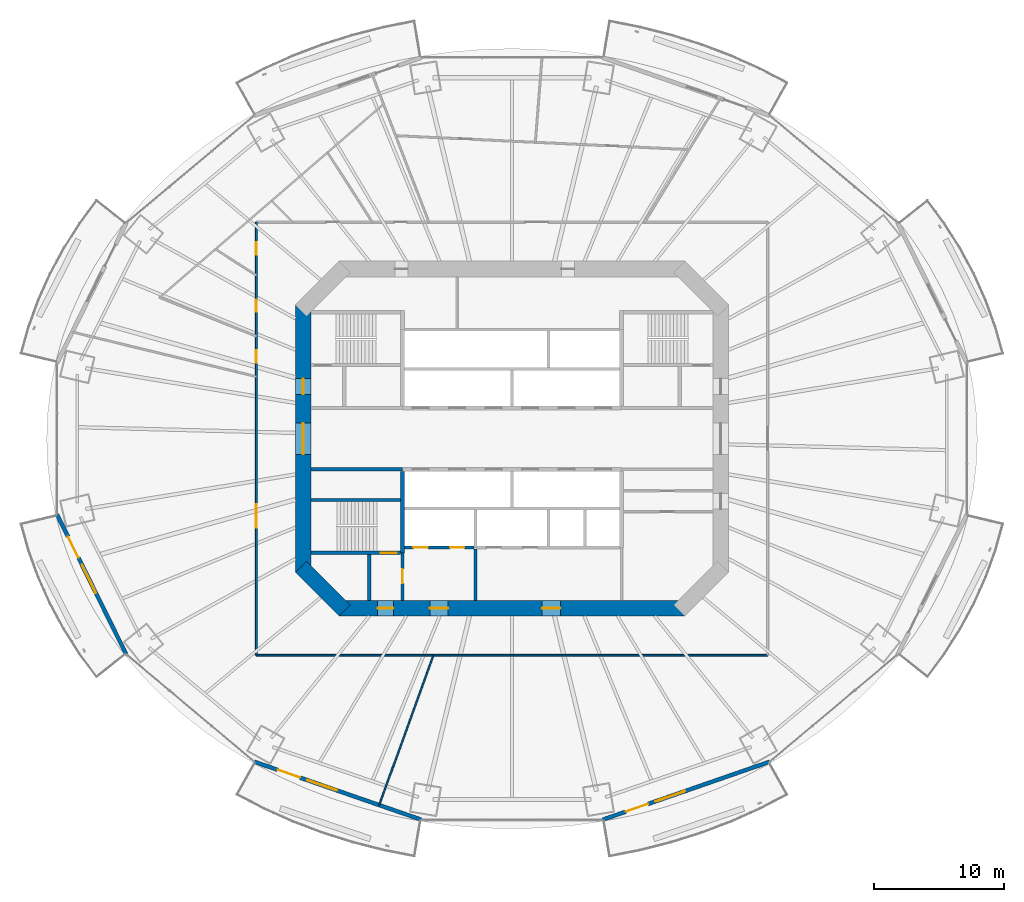
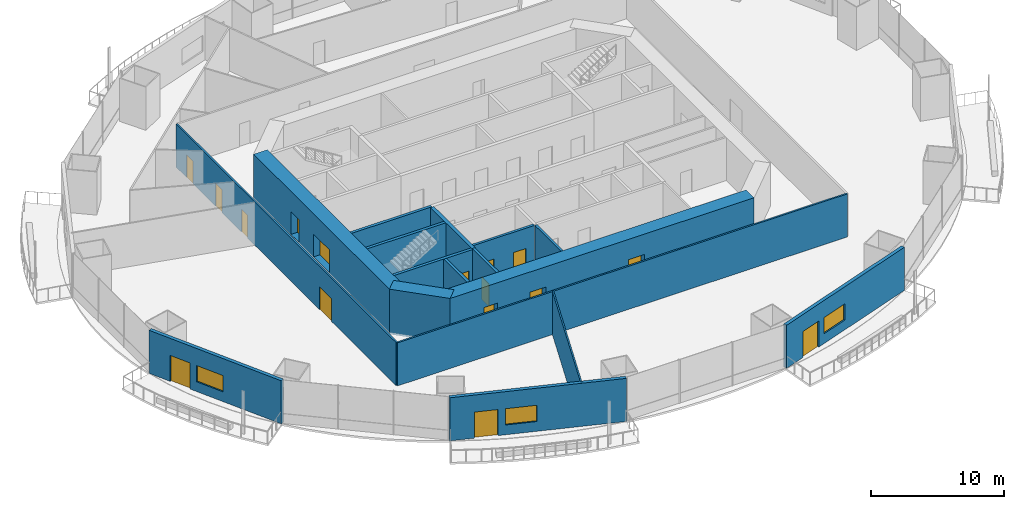
# One storey, part 13 of 22: 17 walls, 16 doors, 3 windows, 19 openings.
"""IFC4 building model written with IfcOpenShell, lengths in metres."""

from ifc_helpers import new_model, si_unit, direction, frame, frame_2d, origin, place, context, subcontext, project, spatial, rectangle, extrude, material, layer, layer_set, type_object, element, fill, save


model = new_model("IFC4")

# Units and contexts
model_context = context("Model", 3, precision=1e-05, world=origin(), true_north=direction((0.0, 1.0)))
body_context = subcontext(model_context, "Body", "Model", "MODEL_VIEW")
ifc_project = project(units=[si_unit("LENGTHUNIT", "METRE"), si_unit("AREAUNIT", "SQUARE_METRE"), si_unit("VOLUMEUNIT", "CUBIC_METRE"), si_unit("PLANEANGLEUNIT", "RADIAN"), si_unit("MASSUNIT", "GRAM", prefix="KILO")], contexts=[model_context])

# Site, building, storey
site_placement = place(None, origin())
site = spatial("IfcSite", under=ifc_project, at=site_placement, CompositionType="ELEMENT")
building_placement = place(site_placement, origin())
building = spatial("IfcBuilding", under=site, at=building_placement, Name="Marenthal Gate Tower", CompositionType="ELEMENT")
storey_placement = place(building_placement, frame((0.0, 0.0, 78.64990234375)))
storey = spatial("IfcBuildingStorey", under=building, at=storey_placement, Name="L15", CompositionType="ELEMENT", Elevation=78.64990234375)

# Wall, openings, doors
ifc_material_1 = material(Name="Concrete 60 MPa", Category="concrete")
ifc_layer_1 = layer(ifc_material_1, 1.199951171875)
ifc_layer_set_1 = layer_set([ifc_layer_1], Name="Core shear wall 1200")
wall_type_1 = type_object("IfcWallType", Name="Core shear wall 1200", PredefinedType="SHEAR", material=ifc_layer_set_1)
wall_1_placement = place(storey_placement, frame((-16.0, 10.24853515625, -0.179931640625), z_axis=(0.0, 0.0, 1.0), x_axis=(0.0, -1.0, 0.0)))
wall_1 = element("IfcWall", 1, at=wall_1_placement, inside=storey, type_object=wall_type_1, Name="Core wall 06", PredefinedType="SHEAR", context=body_context, shape_type="SweptSolid", body=[
    extrude(rectangle(XDim=20.4970703125, YDim=1.199951171875, at=frame_2d((10.24853515625, 0.0))), origin(), (0.0, 0.0, 1.0), 4.150146484375),
])
opening_1_placement = place(wall_1_placement, frame((9.048583984375, 0.0, 0.179931640625)))
opening_1 = element("IfcOpeningElement", 2, at=opening_1_placement, cuts=wall_1, Name="Opening D003.01", PredefinedType="OPENING", context=body_context, shape_type="SweptSolid", body=[
    extrude(rectangle(XDim=2.39990234375, YDim=2.10009765625, at=frame_2d((1.199951171875, 1.050048828125))), frame((0.0, 0.60986328125, 0.0), z_axis=(0.0, -1.0, 0.0), x_axis=(1.0, 0.0, 0.0)), (0.0, 0.0, 1.0), 1.219970703125),
])
opening_2_placement = place(wall_1_placement, frame((5.6484375, 0.0, 0.179931640625)))
opening_2 = element("IfcOpeningElement", 3, at=opening_2_placement, cuts=wall_1, Name="Opening D001.04", PredefinedType="OPENING", context=body_context, shape_type="SweptSolid", body=[
    extrude(rectangle(XDim=1.199951171875, YDim=2.10009765625, at=frame_2d((0.60009765625, 1.050048828125))), frame((0.0, 0.60986328125, 0.0), z_axis=(0.0, -1.0, 0.0), x_axis=(1.0, 0.0, 0.0)), (0.0, 0.0, 1.0), 1.219970703125),
])
ifc_material_2 = material(Name="Steel fire door", Category="steel")
door_type_1 = type_object("IfcDoorType", Name="Double fire door FD 45 2400 x 2100", OperationType="DOUBLE_DOOR_SINGLE_SWING", PredefinedType="DOOR", material=ifc_material_2)
door_1_placement = place(opening_1_placement, origin())
door_1 = element("IfcDoor", 4, at=door_1_placement, inside=storey, type_object=door_type_1, Name="Door D003.01", OperationType="DOUBLE_DOOR_SINGLE_SWING", OverallHeight=2.10009765625, OverallWidth=2.39990234375, PredefinedType="DOOR", context=body_context, shape_type="SweptSolid", body=[
    extrude(rectangle(XDim=2.39990234375, YDim=2.10009765625, at=frame_2d((1.199951171875, 1.050048828125))), frame((0.0, 0.02490234375, 0.0), z_axis=(0.0, -1.0, 0.0), x_axis=(1.0, 0.0, 0.0)), (0.0, 0.0, 1.0), 0.050048828125),
])
fill(opening_1, door_1)
ifc_material_3 = material(Name="Steel fire door", Category="steel")
door_type_2 = type_object("IfcDoorType", Name="Fire door FD 90 1200 x 2100", OperationType="NOTDEFINED", PredefinedType="DOOR", material=ifc_material_3)
door_2_placement = place(opening_2_placement, origin())
door_2 = element("IfcDoor", 5, at=door_2_placement, inside=storey, type_object=door_type_2, Name="Door D001.04", OperationType="SINGLE_SWING_RIGHT", OverallHeight=2.10009765625, OverallWidth=1.199951171875, PredefinedType="DOOR", context=body_context, shape_type="SweptSolid", body=[
    extrude(rectangle(XDim=1.199951171875, YDim=2.10009765625, at=frame_2d((0.60009765625, 1.050048828125))), frame((0.0, 0.02490234375, 0.0), z_axis=(0.0, -1.0, 0.0), x_axis=(1.0, 0.0, 0.0)), (0.0, 0.0, 1.0), 0.050048828125),
])
fill(opening_2, door_2)

# Wall
wall_2_placement = place(storey_placement, frame((-16.17578125, -9.82421875, -0.179931640625), z_axis=(0.0, 0.0, 1.0), x_axis=(0.707106781187, -0.707106781187, 0.0)))
element("IfcWall", 6, at=wall_2_placement, inside=storey, type_object=wall_type_1, Name="Core wall 07", PredefinedType="SHEAR", context=body_context, shape_type="SweptSolid", body=[
    extrude(rectangle(XDim=4.73974609375, YDim=1.199951171875, at=frame_2d((2.369873046875, 0.0))), origin(), (0.0, 0.0, 1.0), 4.150146484375),
])

# Wall, openings, doors
wall_3_placement = place(storey_placement, frame((-13.24853515625, -13.0, -0.179931640625), z_axis=(0.0, 0.0, 1.0), x_axis=(1.0, 0.0, 0.0)))
wall_3 = element("IfcWall", 7, at=wall_3_placement, inside=storey, type_object=wall_type_1, Name="Core wall 08", PredefinedType="SHEAR", context=body_context, shape_type="SweptSolid", body=[
    extrude(rectangle(XDim=26.4970703125, YDim=1.199951171875, at=frame_2d((13.24853515625, 0.0))), origin(), (0.0, 0.0, 1.0), 4.150146484375),
])
opening_3_placement = place(wall_3_placement, frame((2.948486328125, 0.0, 0.179931640625)))
opening_3 = element("IfcOpeningElement", 8, at=opening_3_placement, cuts=wall_3, Name="Opening D001.06", PredefinedType="OPENING", context=body_context, shape_type="SweptSolid", body=[
    extrude(rectangle(XDim=1.199951171875, YDim=2.10009765625, at=frame_2d((0.60009765625, 1.050048828125))), frame((0.0, 0.60986328125, 0.0), z_axis=(0.0, -1.0, 0.0), x_axis=(1.0, 0.0, 0.0)), (0.0, 0.0, 1.0), 1.219970703125),
])
opening_4_placement = place(wall_3_placement, frame((6.948486328125, 0.0, 0.179931640625)))
opening_4 = element("IfcOpeningElement", 9, at=opening_4_placement, cuts=wall_3, Name="Opening D004.01", PredefinedType="OPENING", context=body_context, shape_type="SweptSolid", body=[
    extrude(rectangle(XDim=1.39990234375, YDim=2.10009765625, at=frame_2d((0.699951171875, 1.050048828125))), frame((0.0, 0.60986328125, 0.0), z_axis=(0.0, -1.0, 0.0), x_axis=(1.0, 0.0, 0.0)), (0.0, 0.0, 1.0), 1.219970703125),
])
opening_5_placement = place(wall_3_placement, frame((15.548583984375, 0.0, 0.179931640625)))
opening_5 = element("IfcOpeningElement", 10, at=opening_5_placement, cuts=wall_3, Name="Opening D004.02", PredefinedType="OPENING", context=body_context, shape_type="SweptSolid", body=[
    extrude(rectangle(XDim=1.39990234375, YDim=2.10009765625, at=frame_2d((0.699951171875, 1.050048828125))), frame((0.0, 0.60986328125, 0.0), z_axis=(0.0, -1.0, 0.0), x_axis=(1.0, 0.0, 0.0)), (0.0, 0.0, 1.0), 1.219970703125),
])
ifc_material_4 = material(Name="Steel fire door", Category="steel")
door_type_3 = type_object("IfcDoorType", Name="Fire door FD 45 1400 x 2100", OperationType="NOTDEFINED", PredefinedType="DOOR", material=ifc_material_4)
door_3_placement = place(opening_4_placement, origin())
door_3 = element("IfcDoor", 11, at=door_3_placement, inside=storey, type_object=door_type_3, Name="Door D004.01", OperationType="SINGLE_SWING_RIGHT", OverallHeight=2.10009765625, OverallWidth=1.39990234375, PredefinedType="DOOR", context=body_context, shape_type="SweptSolid", body=[
    extrude(rectangle(XDim=1.39990234375, YDim=2.10009765625, at=frame_2d((0.699951171875, 1.050048828125))), frame((0.0, 0.02490234375, 0.0), z_axis=(0.0, -1.0, 0.0), x_axis=(1.0, 0.0, 0.0)), (0.0, 0.0, 1.0), 0.050048828125),
])
fill(opening_4, door_3)
door_4_placement = place(opening_5_placement, origin())
door_4 = element("IfcDoor", 12, at=door_4_placement, inside=storey, type_object=door_type_3, Name="Door D004.02", OperationType="SINGLE_SWING_RIGHT", OverallHeight=2.10009765625, OverallWidth=1.39990234375, PredefinedType="DOOR", context=body_context, shape_type="SweptSolid", body=[
    extrude(rectangle(XDim=1.39990234375, YDim=2.10009765625, at=frame_2d((0.699951171875, 1.050048828125))), frame((0.0, 0.02490234375, 0.0), z_axis=(0.0, -1.0, 0.0), x_axis=(1.0, 0.0, 0.0)), (0.0, 0.0, 1.0), 0.050048828125),
])
fill(opening_5, door_4)
door_5_placement = place(opening_3_placement, origin())
door_5 = element("IfcDoor", 13, at=door_5_placement, inside=storey, type_object=door_type_2, Name="Door D001.06", OperationType="SINGLE_SWING_RIGHT", OverallHeight=2.10009765625, OverallWidth=1.199951171875, PredefinedType="DOOR", context=body_context, shape_type="SweptSolid", body=[
    extrude(rectangle(XDim=1.199951171875, YDim=2.10009765625, at=frame_2d((0.60009765625, 1.050048828125))), frame((0.0, 0.02490234375, 0.0), z_axis=(0.0, -1.0, 0.0), x_axis=(1.0, 0.0, 0.0)), (0.0, 0.0, 1.0), 0.050048828125),
])
fill(opening_3, door_5)

# Walls
ifc_material_5 = material(Name="Gypsum board on steel studs", Category="steel")
ifc_layer_2 = layer(ifc_material_5, 0.199951171875)
ifc_layer_set_2 = layer_set([ifc_layer_2], Name="Fire lobby wall 200")
wall_type_2 = type_object("IfcWallType", Name="Fire lobby wall 200", PredefinedType="PARTITIONING", material=ifc_layer_set_2)
wall_4_placement = place(storey_placement, frame((-2.800048828125, -12.39990234375, 0.0), z_axis=(0.0, 0.0, 1.0), x_axis=(0.0, 1.0, 0.0)))
element("IfcWall", 14, at=wall_4_placement, inside=storey, type_object=wall_type_2, Name="Fire wall 35", PredefinedType="PARTITIONING", context=body_context, shape_type="SweptSolid", body=[
    extrude(rectangle(XDim=3.93994140625, YDim=0.199951171875, at=frame_2d((1.969970703125, 0.0))), origin(), (0.0, 0.0, 1.0), 3.97021484375),
])
ifc_material_6 = material(Name="Concrete 50 MPa", Category="concrete")
ifc_layer_3 = layer(ifc_material_6, 0.300048828125)
ifc_layer_set_3 = layer_set([ifc_layer_3], Name="Hoistway shear wall 300")
wall_type_3 = type_object("IfcWallType", Name="Hoistway shear wall 300", PredefinedType="SHEAR", material=ifc_layer_set_3)
wall_5_placement = place(storey_placement, frame((-8.39990234375, -8.75, -0.179931640625), z_axis=(0.0, 0.0, 1.0), x_axis=(0.0, 1.0, 0.0)))
element("IfcWall", 15, at=wall_5_placement, inside=storey, type_object=wall_type_3, Name="Hoistway wall 31", PredefinedType="SHEAR", context=body_context, shape_type="SweptSolid", body=[
    extrude(rectangle(XDim=6.25, YDim=0.300048828125, at=frame_2d((3.125, 0.0))), origin(), (0.0, 0.0, 1.0), 4.150146484375),
])

# Wall, openings, doors
ifc_material_7 = material(Name="Concrete 40 MPa", Category="concrete")
ifc_layer_4 = layer(ifc_material_7, 0.219970703125)
ifc_layer_set_4 = layer_set([ifc_layer_4], Name="Hoistway wall 220")
wall_type_4 = type_object("IfcWallType", Name="Hoistway wall 220", PredefinedType="STANDARD", material=ifc_layer_set_4)
wall_6_placement = place(storey_placement, frame((-8.25, -8.35009765625, 0.0), z_axis=(0.0, 0.0, 1.0), x_axis=(1.0, 0.0, 0.0)))
wall_6 = element("IfcWall", 16, at=wall_6_placement, inside=storey, type_object=wall_type_4, Name="Hoistway wall 10", PredefinedType="STANDARD", context=body_context, shape_type="SweptSolid", body=[
    extrude(rectangle(XDim=5.340087890625, YDim=0.219970703125, at=frame_2d((2.669921875, 0.0))), origin(), (0.0, 0.0, 1.0), 3.97021484375),
])
opening_6_placement = place(wall_6_placement, frame((0.699951171875, 0.0, 0.0)))
opening_6 = element("IfcOpeningElement", 17, at=opening_6_placement, cuts=wall_6, Name="Opening LD-LF1", PredefinedType="OPENING", context=body_context, shape_type="SweptSolid", body=[
    extrude(rectangle(XDim=1.10009765625, YDim=2.10009765625, at=frame_2d((0.550048828125, 1.050048828125))), frame((0.0, 0.1201171875, 0.0), z_axis=(0.0, -1.0, 0.0), x_axis=(1.0, 0.0, 0.0)), (0.0, 0.0, 1.0), 0.239990234375),
])
opening_7_placement = place(wall_6_placement, frame((3.5, 0.0, 0.0)))
opening_7 = element("IfcOpeningElement", 18, at=opening_7_placement, cuts=wall_6, Name="Opening LD-LF2", PredefinedType="OPENING", context=body_context, shape_type="SweptSolid", body=[
    extrude(rectangle(XDim=1.10009765625, YDim=2.10009765625, at=frame_2d((0.550048828125, 1.050048828125))), frame((0.0, 0.1201171875, 0.0), z_axis=(0.0, -1.0, 0.0), x_axis=(1.0, 0.0, 0.0)), (0.0, 0.0, 1.0), 0.239990234375),
])
ifc_material_8 = material(Name="Stainless steel sliding door", Category="steel")
door_type_4 = type_object("IfcDoorType", Name="Lift landing door FD 90 1100 x 2100", OperationType="DOUBLE_DOOR_SLIDING", PredefinedType="DOOR", material=ifc_material_8)
door_6_placement = place(opening_6_placement, origin())
door_6 = element("IfcDoor", 19, at=door_6_placement, inside=storey, type_object=door_type_4, Name="Lift landing door LF1", OperationType="DOUBLE_DOOR_SLIDING", OverallHeight=2.10009765625, OverallWidth=1.10009765625, PredefinedType="DOOR", context=body_context, shape_type="SweptSolid", body=[
    extrude(rectangle(XDim=1.10009765625, YDim=2.10009765625, at=frame_2d((0.550048828125, 1.050048828125))), frame((0.0, 0.02490234375, 0.0), z_axis=(0.0, -1.0, 0.0), x_axis=(1.0, 0.0, 0.0)), (0.0, 0.0, 1.0), 0.050048828125),
])
fill(opening_6, door_6)
door_7_placement = place(opening_7_placement, origin())
door_7 = element("IfcDoor", 20, at=door_7_placement, inside=storey, type_object=door_type_4, Name="Lift landing door LF2", OperationType="DOUBLE_DOOR_SLIDING", OverallHeight=2.10009765625, OverallWidth=1.10009765625, PredefinedType="DOOR", context=body_context, shape_type="SweptSolid", body=[
    extrude(rectangle(XDim=1.10009765625, YDim=2.10009765625, at=frame_2d((0.550048828125, 1.050048828125))), frame((0.0, 0.02490234375, 0.0), z_axis=(0.0, -1.0, 0.0), x_axis=(1.0, 0.0, 0.0)), (0.0, 0.0, 1.0), 0.050048828125),
])
fill(opening_7, door_7)

# Wall
ifc_material_9 = material(Name="Gypsum board on steel studs", Category="steel")
ifc_layer_5 = layer(ifc_material_9, 0.1201171875)
ifc_layer_set_5 = layer_set([ifc_layer_5], Name="Partition 120")
wall_type_5 = type_object("IfcWallType", Name="Partition 120", PredefinedType="PARTITIONING", material=ifc_layer_set_5)
wall_7_placement = place(storey_placement, frame((-6.016357421875, -16.60009765625, 0.0), z_axis=(0.0, 0.0, 1.0), x_axis=(-0.340736841992, -0.940158712404, 0.0)))
element("IfcWall", 21, at=wall_7_placement, inside=storey, type_object=wall_type_5, Name="Partition wall 56", PredefinedType="PARTITIONING", context=body_context, shape_type="SweptSolid", body=[
    extrude(rectangle(XDim=12.21728515625, YDim=0.1201171875, at=frame_2d((6.108642578125, 0.0))), origin(), (0.0, 0.0, 1.0), 3.97021484375),
])

# Wall, openings, doors
ifc_material_10 = material(Name="Gypsum board on steel studs", Category="steel")
ifc_layer_6 = layer(ifc_material_10, 0.14990234375)
ifc_layer_set_6 = layer_set([ifc_layer_6], Name="Partition 150")
wall_type_6 = type_object("IfcWallType", Name="Partition 150", PredefinedType="PARTITIONING", material=ifc_layer_set_6)
wall_8_placement = place(storey_placement, frame((-19.60009765625, -16.60009765625, 0.0), z_axis=(0.0, 0.0, 1.0), x_axis=(0.0, 1.0, 0.0)))
wall_8 = element("IfcWall", 22, at=wall_8_placement, inside=storey, type_object=wall_type_6, Name="Partition wall 49", PredefinedType="PARTITIONING", context=body_context, shape_type="SweptSolid", body=[
    extrude(rectangle(XDim=33.2001953125, YDim=0.14990234375, at=frame_2d((16.60009765625, 0.0))), origin(), (0.0, 0.0, 1.0), 3.97021484375),
])
opening_8_placement = place(wall_8_placement, frame((30.68798828125, 0.0, 0.0)))
opening_8 = element("IfcOpeningElement", 23, at=opening_8_placement, cuts=wall_8, Name="Opening D016.05", PredefinedType="OPENING", context=body_context, shape_type="SweptSolid", body=[
    extrude(rectangle(XDim=0.949951171875, YDim=2.10009765625, at=frame_2d((0.47509765625, 1.050048828125))), frame((0.0, 0.0849609375, 0.0), z_axis=(0.0, -1.0, 0.0), x_axis=(1.0, 0.0, 0.0)), (0.0, 0.0, 1.0), 0.169921875),
])
opening_9_placement = place(wall_8_placement, frame((26.31103515625, 0.0, 0.0)))
opening_9 = element("IfcOpeningElement", 24, at=opening_9_placement, cuts=wall_8, Name="Opening D016.06", PredefinedType="OPENING", context=body_context, shape_type="SweptSolid", body=[
    extrude(rectangle(XDim=0.949951171875, YDim=2.10009765625, at=frame_2d((0.47509765625, 1.050048828125))), frame((0.0, 0.0849609375, 0.0), z_axis=(0.0, -1.0, 0.0), x_axis=(1.0, 0.0, 0.0)), (0.0, 0.0, 1.0), 0.169921875),
])
opening_10_placement = place(wall_8_placement, frame((22.426025390625, 0.0, 0.0)))
opening_10 = element("IfcOpeningElement", 25, at=opening_10_placement, cuts=wall_8, Name="Opening D016.07", PredefinedType="OPENING", context=body_context, shape_type="SweptSolid", body=[
    extrude(rectangle(XDim=0.949951171875, YDim=2.10009765625, at=frame_2d((0.47509765625, 1.050048828125))), frame((0.0, 0.0849609375, 0.0), z_axis=(0.0, -1.0, 0.0), x_axis=(1.0, 0.0, 0.0)), (0.0, 0.0, 1.0), 0.169921875),
])
opening_11_placement = place(wall_8_placement, frame((9.778076171875, 0.0, 0.0)))
opening_11 = element("IfcOpeningElement", 26, at=opening_11_placement, cuts=wall_8, Name="Opening D014.02", PredefinedType="OPENING", context=body_context, shape_type="SweptSolid", body=[
    extrude(rectangle(XDim=1.800048828125, YDim=2.10009765625, at=frame_2d((0.89990234375, 1.050048828125))), frame((0.0, 0.0849609375, 0.0), z_axis=(0.0, -1.0, 0.0), x_axis=(1.0, 0.0, 0.0)), (0.0, 0.0, 1.0), 0.169921875),
])
ifc_material_11 = material(Name="Timber door", Category="wood")
door_type_5 = type_object("IfcDoorType", Name="Door 950 x 2100", OperationType="NOTDEFINED", PredefinedType="DOOR", material=ifc_material_11)
door_8_placement = place(opening_8_placement, origin())
door_8 = element("IfcDoor", 27, at=door_8_placement, inside=storey, type_object=door_type_5, Name="Door D016.05", OperationType="SINGLE_SWING_RIGHT", OverallHeight=2.10009765625, OverallWidth=0.949951171875, PredefinedType="DOOR", context=body_context, shape_type="SweptSolid", body=[
    extrude(rectangle(XDim=0.949951171875, YDim=2.10009765625, at=frame_2d((0.47509765625, 1.050048828125))), frame((0.0, 0.02490234375, 0.0), z_axis=(0.0, -1.0, 0.0), x_axis=(1.0, 0.0, 0.0)), (0.0, 0.0, 1.0), 0.050048828125),
])
fill(opening_8, door_8)
door_9_placement = place(opening_9_placement, origin())
door_9 = element("IfcDoor", 28, at=door_9_placement, inside=storey, type_object=door_type_5, Name="Door D016.06", OperationType="SINGLE_SWING_RIGHT", OverallHeight=2.10009765625, OverallWidth=0.949951171875, PredefinedType="DOOR", context=body_context, shape_type="SweptSolid", body=[
    extrude(rectangle(XDim=0.949951171875, YDim=2.10009765625, at=frame_2d((0.47509765625, 1.050048828125))), frame((0.0, 0.02490234375, 0.0), z_axis=(0.0, -1.0, 0.0), x_axis=(1.0, 0.0, 0.0)), (0.0, 0.0, 1.0), 0.050048828125),
])
fill(opening_9, door_9)
door_10_placement = place(opening_10_placement, origin())
door_10 = element("IfcDoor", 29, at=door_10_placement, inside=storey, type_object=door_type_5, Name="Door D016.07", OperationType="SINGLE_SWING_RIGHT", OverallHeight=2.10009765625, OverallWidth=0.949951171875, PredefinedType="DOOR", context=body_context, shape_type="SweptSolid", body=[
    extrude(rectangle(XDim=0.949951171875, YDim=2.10009765625, at=frame_2d((0.47509765625, 1.050048828125))), frame((0.0, 0.02490234375, 0.0), z_axis=(0.0, -1.0, 0.0), x_axis=(1.0, 0.0, 0.0)), (0.0, 0.0, 1.0), 0.050048828125),
])
fill(opening_10, door_10)
ifc_material_12 = material(Name="Timber door", Category="wood")
door_type_6 = type_object("IfcDoorType", Name="Double door 1800 x 2100", OperationType="DOUBLE_DOOR_SINGLE_SWING", PredefinedType="DOOR", material=ifc_material_12)
door_11_placement = place(opening_11_placement, origin())
door_11 = element("IfcDoor", 30, at=door_11_placement, inside=storey, type_object=door_type_6, Name="Door D014.02", OperationType="DOUBLE_DOOR_SINGLE_SWING", OverallHeight=2.10009765625, OverallWidth=1.800048828125, PredefinedType="DOOR", context=body_context, shape_type="SweptSolid", body=[
    extrude(rectangle(XDim=1.800048828125, YDim=2.10009765625, at=frame_2d((0.89990234375, 1.050048828125))), frame((0.0, 0.02490234375, 0.0), z_axis=(0.0, -1.0, 0.0), x_axis=(1.0, 0.0, 0.0)), (0.0, 0.0, 1.0), 0.050048828125),
])
fill(opening_11, door_11)

# Walls
wall_9_placement = place(storey_placement, frame((19.60009765625, -16.60009765625, 0.0), z_axis=(0.0, 0.0, 1.0), x_axis=(-1.0, 0.0, 0.0)))
element("IfcWall", 31, at=wall_9_placement, inside=storey, type_object=wall_type_6, Name="Partition wall 60", PredefinedType="PARTITIONING", context=body_context, shape_type="SweptSolid", body=[
    extrude(rectangle(XDim=39.2001953125, YDim=0.14990234375, at=frame_2d((19.60009765625, 0.0))), origin(), (0.0, 0.0, 1.0), 3.97021484375),
])
ifc_material_13 = material(Name="Concrete 40 MPa", Category="concrete")
ifc_layer_7 = layer(ifc_material_13, 0.25)
ifc_layer_set_7 = layer_set([ifc_layer_7], Name="Stair enclosure wall 250")
wall_type_7 = type_object("IfcWallType", Name="Stair enclosure wall 250", PredefinedType="STANDARD", material=ifc_layer_set_7)
wall_10_placement = place(storey_placement, frame((-15.39990234375, -2.35009765625, 0.0), z_axis=(0.0, 0.0, 1.0), x_axis=(1.0, 0.0, 0.0)))
element("IfcWall", 32, at=wall_10_placement, inside=storey, type_object=wall_type_7, Name="Stair wall 16", PredefinedType="STANDARD", context=body_context, shape_type="SweptSolid", body=[
    extrude(rectangle(XDim=7.0, YDim=0.25, at=frame_2d((3.5, 0.0))), origin(), (0.0, 0.0, 1.0), 3.97021484375),
])
wall_11_placement = place(storey_placement, frame((-10.949951171875, -12.39990234375, 0.0), z_axis=(0.0, 0.0, 1.0), x_axis=(0.0, 1.0, 0.0)))
element("IfcWall", 33, at=wall_11_placement, inside=storey, type_object=wall_type_7, Name="Stair wall 29", PredefinedType="STANDARD", context=body_context, shape_type="SweptSolid", body=[
    extrude(rectangle(XDim=3.52490234375, YDim=0.25, at=frame_2d((1.762451171875, 0.0))), origin(), (0.0, 0.0, 1.0), 3.97021484375),
])

# Wall, opening, door
wall_12_placement = place(storey_placement, frame((-8.39990234375, -12.39990234375, 0.0), z_axis=(0.0, 0.0, 1.0), x_axis=(0.0, 1.0, 0.0)))
wall_12 = element("IfcWall", 34, at=wall_12_placement, inside=storey, type_object=wall_type_7, Name="Stair wall 30", PredefinedType="STANDARD", context=body_context, shape_type="SweptSolid", body=[
    extrude(rectangle(XDim=3.64990234375, YDim=0.25, at=frame_2d((1.824951171875, 0.0))), origin(), (0.0, 0.0, 1.0), 3.97021484375),
])
opening_12_placement = place(wall_12_placement, frame((1.300048828125, 0.0, 0.0)))
opening_12 = element("IfcOpeningElement", 35, at=opening_12_placement, cuts=wall_12, Name="Opening D002.01", PredefinedType="OPENING", context=body_context, shape_type="SweptSolid", body=[
    extrude(rectangle(XDim=1.10009765625, YDim=2.10009765625, at=frame_2d((0.550048828125, 1.050048828125))), frame((0.0, 0.135009765625, 0.0), z_axis=(0.0, -1.0, 0.0), x_axis=(1.0, 0.0, 0.0)), (0.0, 0.0, 1.0), 0.27001953125),
])
ifc_material_14 = material(Name="Steel fire door", Category="steel")
door_type_7 = type_object("IfcDoorType", Name="Fire door FD 90 1100 x 2100", OperationType="NOTDEFINED", PredefinedType="DOOR", material=ifc_material_14)
door_12_placement = place(opening_12_placement, origin())
door_12 = element("IfcDoor", 36, at=door_12_placement, inside=storey, type_object=door_type_7, Name="Door D002.01", OperationType="SINGLE_SWING_RIGHT", OverallHeight=2.10009765625, OverallWidth=1.10009765625, PredefinedType="DOOR", context=body_context, shape_type="SweptSolid", body=[
    extrude(rectangle(XDim=1.10009765625, YDim=2.10009765625, at=frame_2d((0.550048828125, 1.050048828125))), frame((0.0, 0.02490234375, 0.0), z_axis=(0.0, -1.0, 0.0), x_axis=(1.0, 0.0, 0.0)), (0.0, 0.0, 1.0), 0.050048828125),
])
fill(opening_12, door_12)

ifc_material_15 = material(Name="Concrete 50 MPa", Category="concrete")
ifc_layer_8 = layer(ifc_material_15, 0.25)
ifc_layer_set_8 = layer_set([ifc_layer_8], Name="Stair shear wall 250")
wall_type_8 = type_object("IfcWallType", Name="Stair shear wall 250", PredefinedType="SHEAR", material=ifc_layer_set_8)
wall_13_placement = place(storey_placement, frame((-15.39990234375, -8.75, -0.179931640625), z_axis=(0.0, 0.0, 1.0), x_axis=(1.0, 0.0, 0.0)))
wall_13 = element("IfcWall", 37, at=wall_13_placement, inside=storey, type_object=wall_type_8, Name="Stair wall 09", PredefinedType="SHEAR", context=body_context, shape_type="SweptSolid", body=[
    extrude(rectangle(XDim=6.849853515625, YDim=0.25, at=frame_2d((3.4248046875, 0.0))), origin(), (0.0, 0.0, 1.0), 4.150146484375),
])
opening_13_placement = place(wall_13_placement, frame((5.35009765625, 0.0, 0.179931640625)))
opening_13 = element("IfcOpeningElement", 38, at=opening_13_placement, cuts=wall_13, Name="Opening D001.03", PredefinedType="OPENING", context=body_context, shape_type="SweptSolid", body=[
    extrude(rectangle(XDim=1.199951171875, YDim=2.10009765625, at=frame_2d((0.60009765625, 1.050048828125))), frame((0.0, 0.135009765625, 0.0), z_axis=(0.0, -1.0, 0.0), x_axis=(1.0, 0.0, 0.0)), (0.0, 0.0, 1.0), 0.27001953125),
])
door_13_placement = place(opening_13_placement, origin())
door_13 = element("IfcDoor", 39, at=door_13_placement, inside=storey, type_object=door_type_2, Name="Door D001.03", OperationType="SINGLE_SWING_RIGHT", OverallHeight=2.10009765625, OverallWidth=1.199951171875, PredefinedType="DOOR", context=body_context, shape_type="SweptSolid", body=[
    extrude(rectangle(XDim=1.199951171875, YDim=2.10009765625, at=frame_2d((0.60009765625, 1.050048828125))), frame((0.0, 0.02490234375, 0.0), z_axis=(0.0, -1.0, 0.0), x_axis=(1.0, 0.0, 0.0)), (0.0, 0.0, 1.0), 0.050048828125),
])
fill(opening_13, door_13)

# Wall
wall_14_placement = place(storey_placement, frame((-15.39990234375, -4.699951171875, -0.179931640625), z_axis=(0.0, 0.0, 1.0), x_axis=(1.0, 0.0, 0.0)))
element("IfcWall", 40, at=wall_14_placement, inside=storey, type_object=wall_type_8, Name="Stair wall 14", PredefinedType="SHEAR", context=body_context, shape_type="SweptSolid", body=[
    extrude(rectangle(XDim=6.849853515625, YDim=0.25, at=frame_2d((3.4248046875, 0.0))), origin(), (0.0, 0.0, 1.0), 4.150146484375),
])

# Wall, openings, door, window
ifc_material_16 = material(Name="Terracotta cladding on insulated concrete-block backing", Category="masonry")
ifc_layer_9 = layer(ifc_material_16, 0.300048828125)
ifc_layer_set_9 = layer_set([ifc_layer_9], Name="Terracotta facade wall 300")
wall_type_9 = type_object("IfcWallType", Name="Terracotta facade wall 300", PredefinedType="SOLIDWALL", material=ifc_layer_set_9)
wall_15_placement = place(storey_placement, frame((-34.869873046875, -5.810546875, 0.0), z_axis=(0.0, 0.0, 1.0), x_axis=(0.443222110109, -0.896411825619, 0.0)))
wall_15 = element("IfcWall", 41, at=wall_15_placement, inside=storey, type_object=wall_type_9, Name="Terracotta facade wall L15 bay 9", PredefinedType="SOLIDWALL", context=body_context, shape_type="SweptSolid", body=[
    extrude(rectangle(XDim=11.977294921875, YDim=0.300048828125, at=frame_2d((5.98876953125, 0.0))), origin(), (0.0, 0.0, 1.0), 3.97021484375),
])
opening_14_placement = place(wall_15_placement, frame((1.89990234375, 0.0, 0.0)))
opening_14 = element("IfcOpeningElement", 42, at=opening_14_placement, cuts=wall_15, Name="Opening BD-L15-09", PredefinedType="OPENING", context=body_context, shape_type="SweptSolid", body=[
    extrude(rectangle(XDim=1.800048828125, YDim=2.39990234375, at=frame_2d((0.89990234375, 1.199951171875))), frame((0.0, 0.16015625, 0.0), z_axis=(0.0, -1.0, 0.0), x_axis=(1.0, 0.0, 0.0)), (0.0, 0.0, 1.0), 0.320068359375),
])
opening_15_placement = place(wall_15_placement, frame((4.300048828125, 0.0, 0.89990234375)))
opening_15 = element("IfcOpeningElement", 43, at=opening_15_placement, cuts=wall_15, Name="Opening WN1-L15-09", PredefinedType="OPENING", context=body_context, shape_type="SweptSolid", body=[
    extrude(rectangle(XDim=2.39990234375, YDim=1.5, at=frame_2d((1.199951171875, 0.75))), frame((0.0, 0.16015625, 0.0), z_axis=(0.0, -1.0, 0.0), x_axis=(1.0, 0.0, 0.0)), (0.0, 0.0, 1.0), 0.320068359375),
])
ifc_material_17 = material(Name="Aluminium and glass", Category="aluminium")
door_type_8 = type_object("IfcDoorType", Name="Balcony door 1800x2400", OperationType="DOUBLE_DOOR_SINGLE_SWING", PredefinedType="DOOR", material=ifc_material_17)
door_14_placement = place(opening_14_placement, origin())
door_14 = element("IfcDoor", 44, at=door_14_placement, inside=storey, type_object=door_type_8, Name="Balcony door L15 bay 9", OperationType="SINGLE_SWING_LEFT", OverallHeight=2.39990234375, OverallWidth=1.800048828125, PredefinedType="DOOR", context=body_context, shape_type="SweptSolid", body=[
    extrude(rectangle(XDim=1.800048828125, YDim=2.39990234375, at=frame_2d((0.89990234375, 1.199951171875))), frame((0.0, 0.02490234375, 0.0), z_axis=(0.0, -1.0, 0.0), x_axis=(1.0, 0.0, 0.0)), (0.0, 0.0, 1.0), 0.050048828125),
])
fill(opening_14, door_14)
ifc_material_18 = material(Name="Aluminium and glass", Category="aluminium")
window_type = type_object("IfcWindowType", Name="Window 2400x1500", PartitioningType="TRIPLE_PANEL_VERTICAL", PredefinedType="WINDOW", material=ifc_material_18)
window_1_placement = place(opening_15_placement, origin())
window_1 = element("IfcWindow", 45, at=window_1_placement, inside=storey, type_object=window_type, Name="Window L15 bay 9", OverallHeight=1.5, OverallWidth=2.39990234375, PartitioningType="SINGLE_PANEL", PredefinedType="WINDOW", context=body_context, shape_type="SweptSolid", body=[
    extrude(rectangle(XDim=2.39990234375, YDim=1.5, at=frame_2d((1.199951171875, 0.75))), frame((0.0, 0.030029296875, 0.0), z_axis=(0.0, -1.0, 0.0), x_axis=(1.0, 0.0, 0.0)), (0.0, 0.0, 1.0), 0.06005859375),
])
fill(opening_15, window_1)

wall_16_placement = place(storey_placement, frame((-19.752197265625, -24.764404296875, 0.0), z_axis=(0.0, 0.0, 1.0), x_axis=(0.94473738927, -0.327828103304, 0.0)))
wall_16 = element("IfcWall", 46, at=wall_16_placement, inside=storey, type_object=wall_type_9, Name="Terracotta facade wall L15 bay 11", PredefinedType="SOLIDWALL", context=body_context, shape_type="SweptSolid", body=[
    extrude(rectangle(XDim=13.56591796875, YDim=0.300048828125, at=frame_2d((6.782958984375, 0.0))), origin(), (0.0, 0.0, 1.0), 3.97021484375),
])
opening_16_placement = place(wall_16_placement, frame((1.89990234375, 0.0, 0.0)))
opening_16 = element("IfcOpeningElement", 47, at=opening_16_placement, cuts=wall_16, Name="Opening BD-L15-11", PredefinedType="OPENING", context=body_context, shape_type="SweptSolid", body=[
    extrude(rectangle(XDim=1.800048828125, YDim=2.39990234375, at=frame_2d((0.89990234375, 1.199951171875))), frame((0.0, 0.16015625, 0.0), z_axis=(0.0, -1.0, 0.0), x_axis=(1.0, 0.0, 0.0)), (0.0, 0.0, 1.0), 0.320068359375),
])
opening_17_placement = place(wall_16_placement, frame((4.300048828125, 0.0, 0.89990234375)))
opening_17 = element("IfcOpeningElement", 48, at=opening_17_placement, cuts=wall_16, Name="Opening WN1-L15-11", PredefinedType="OPENING", context=body_context, shape_type="SweptSolid", body=[
    extrude(rectangle(XDim=2.39990234375, YDim=1.5, at=frame_2d((1.199951171875, 0.75))), frame((0.0, 0.16015625, 0.0), z_axis=(0.0, -1.0, 0.0), x_axis=(1.0, 0.0, 0.0)), (0.0, 0.0, 1.0), 0.320068359375),
])
door_15_placement = place(opening_16_placement, origin())
door_15 = element("IfcDoor", 49, at=door_15_placement, inside=storey, type_object=door_type_8, Name="Balcony door L15 bay 11", OperationType="SINGLE_SWING_LEFT", OverallHeight=2.39990234375, OverallWidth=1.800048828125, PredefinedType="DOOR", context=body_context, shape_type="SweptSolid", body=[
    extrude(rectangle(XDim=1.800048828125, YDim=2.39990234375, at=frame_2d((0.89990234375, 1.199951171875))), frame((0.0, 0.02490234375, 0.0), z_axis=(0.0, -1.0, 0.0), x_axis=(1.0, 0.0, 0.0)), (0.0, 0.0, 1.0), 0.050048828125),
])
fill(opening_16, door_15)
window_2_placement = place(opening_17_placement, origin())
window_2 = element("IfcWindow", 50, at=window_2_placement, inside=storey, type_object=window_type, Name="Window L15 bay 11", OverallHeight=1.5, OverallWidth=2.39990234375, PartitioningType="SINGLE_PANEL", PredefinedType="WINDOW", context=body_context, shape_type="SweptSolid", body=[
    extrude(rectangle(XDim=2.39990234375, YDim=1.5, at=frame_2d((1.199951171875, 0.75))), frame((0.0, 0.030029296875, 0.0), z_axis=(0.0, -1.0, 0.0), x_axis=(1.0, 0.0, 0.0)), (0.0, 0.0, 1.0), 0.06005859375),
])
fill(opening_17, window_2)

wall_17_placement = place(storey_placement, frame((6.93603515625, -29.211669921875, 0.0), z_axis=(0.0, 0.0, 1.0), x_axis=(0.94473738927, 0.327828103304, 0.0)))
wall_17 = element("IfcWall", 51, at=wall_17_placement, inside=storey, type_object=wall_type_9, Name="Terracotta facade wall L15 bay 13", PredefinedType="SOLIDWALL", context=body_context, shape_type="SweptSolid", body=[
    extrude(rectangle(XDim=13.56591796875, YDim=0.300048828125, at=frame_2d((6.782958984375, 0.0))), origin(), (0.0, 0.0, 1.0), 3.97021484375),
])
opening_18_placement = place(wall_17_placement, frame((1.89990234375, 0.0, 0.0)))
opening_18 = element("IfcOpeningElement", 52, at=opening_18_placement, cuts=wall_17, Name="Opening BD-L15-13", PredefinedType="OPENING", context=body_context, shape_type="SweptSolid", body=[
    extrude(rectangle(XDim=1.800048828125, YDim=2.39990234375, at=frame_2d((0.89990234375, 1.199951171875))), frame((0.0, 0.16015625, 0.0), z_axis=(0.0, -1.0, 0.0), x_axis=(1.0, 0.0, 0.0)), (0.0, 0.0, 1.0), 0.320068359375),
])
opening_19_placement = place(wall_17_placement, frame((4.300048828125, 0.0, 0.89990234375)))
opening_19 = element("IfcOpeningElement", 53, at=opening_19_placement, cuts=wall_17, Name="Opening WN1-L15-13", PredefinedType="OPENING", context=body_context, shape_type="SweptSolid", body=[
    extrude(rectangle(XDim=2.39990234375, YDim=1.5, at=frame_2d((1.199951171875, 0.75))), frame((0.0, 0.16015625, 0.0), z_axis=(0.0, -1.0, 0.0), x_axis=(1.0, 0.0, 0.0)), (0.0, 0.0, 1.0), 0.320068359375),
])
door_16_placement = place(opening_18_placement, origin())
door_16 = element("IfcDoor", 54, at=door_16_placement, inside=storey, type_object=door_type_8, Name="Balcony door L15 bay 13", OperationType="SINGLE_SWING_LEFT", OverallHeight=2.39990234375, OverallWidth=1.800048828125, PredefinedType="DOOR", context=body_context, shape_type="SweptSolid", body=[
    extrude(rectangle(XDim=1.800048828125, YDim=2.39990234375, at=frame_2d((0.89990234375, 1.199951171875))), frame((0.0, 0.02490234375, 0.0), z_axis=(0.0, -1.0, 0.0), x_axis=(1.0, 0.0, 0.0)), (0.0, 0.0, 1.0), 0.050048828125),
])
fill(opening_18, door_16)
window_3_placement = place(opening_19_placement, origin())
window_3 = element("IfcWindow", 55, at=window_3_placement, inside=storey, type_object=window_type, Name="Window L15 bay 13", OverallHeight=1.5, OverallWidth=2.39990234375, PartitioningType="SINGLE_PANEL", PredefinedType="WINDOW", context=body_context, shape_type="SweptSolid", body=[
    extrude(rectangle(XDim=2.39990234375, YDim=1.5, at=frame_2d((1.199951171875, 0.75))), frame((0.0, 0.030029296875, 0.0), z_axis=(0.0, -1.0, 0.0), x_axis=(1.0, 0.0, 0.0)), (0.0, 0.0, 1.0), 0.06005859375),
])
fill(opening_19, window_3)

save(model, "model.ifc")
